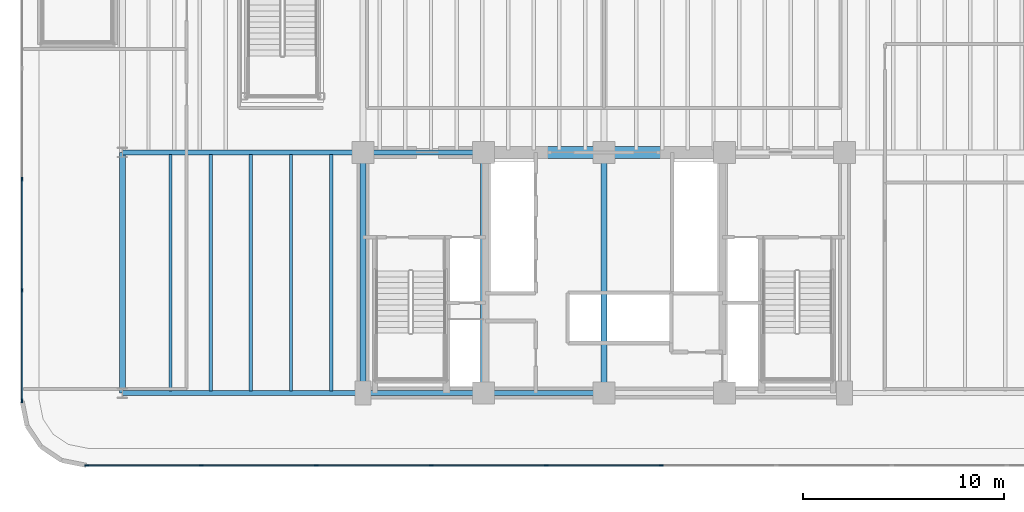
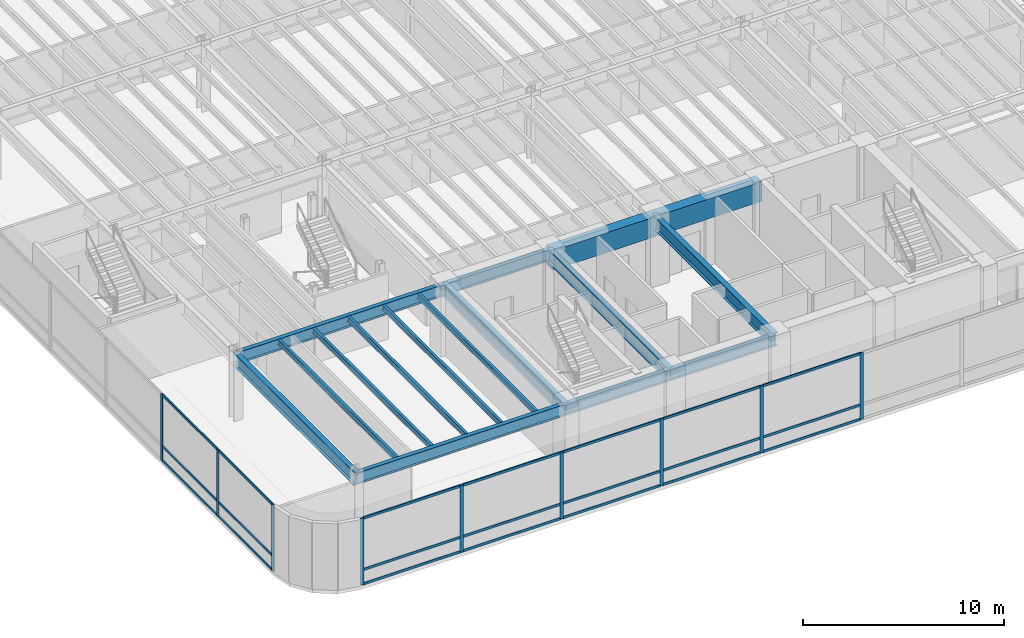
# One storey, part 3 of 18: 30 members, 15 beams, 2 elements without a shape of their own.
"""IFC4 building model written with IfcOpenShell, lengths in metres."""

from ifc_helpers import new_model, si_unit, direction, frame, origin, origin_2d, place, context, subcontext, project, spatial, rectangle, i_section, extrude, source, transform, mapped, material, layer, layer_set, material_profile, profile_set, type_object, element, aggregate, save


model = new_model("IFC4")

# Units and contexts
model_context = context("Model", 3, precision=1e-05, world=origin(), true_north=direction((0.0, 1.0)))
body_context = subcontext(model_context, "Body", "Model", "MODEL_VIEW")
ifc_project = project(units=[si_unit("LENGTHUNIT", "METRE"), si_unit("AREAUNIT", "SQUARE_METRE"), si_unit("VOLUMEUNIT", "CUBIC_METRE"), si_unit("PLANEANGLEUNIT", "RADIAN"), si_unit("MASSUNIT", "GRAM", prefix="KILO")], contexts=[model_context])

# Site, building, storey
site_placement = place(None, origin())
site = spatial("IfcSite", under=ifc_project, at=site_placement, CompositionType="ELEMENT")
building_placement = place(site_placement, origin())
building = spatial("IfcBuilding", under=site, at=building_placement, Name="Brelvock Crest Care Tower", CompositionType="ELEMENT")
storey_placement = place(building_placement, frame((0.0, 0.0, 9.719970703125)))
storey = spatial("IfcBuildingStorey", under=building, at=storey_placement, Name="L02", CompositionType="ELEMENT", Elevation=9.719970703125)

# Beams
ifc_material_1 = material(Name="Concrete S80 (80 MPa)", Category="concrete")
ifc_material_profile_1 = material_profile(ifc_material_1, rectangle(XDim=0.60009765625, YDim=1.199951171875, at=origin_2d()), Name="RC600x1200")
ifc_profile_set_1 = profile_set([ifc_material_profile_1], Name="Concrete S80 (80 MPa)")
beam_type_1 = type_object("IfcBeamType", Name="BM-LN1", PredefinedType="LINTEL", material=ifc_profile_set_1)
shared_shape_1 = source(origin(), body_context, "Body", "SweptSolid", [
    extrude(rectangle(XDim=0.60009765625, YDim=1.199951171875, at=origin_2d()), origin(), (0.0, 0.0, 1.0), 12.0),
])
beam_placement = place(storey_placement, frame((30.0, 18.0, 3.43994140625), z_axis=(1.0, 0.0, 0.0), x_axis=(0.0, 1.0, 0.0)))
element("IfcBeam", 1, at=beam_placement, inside=storey, type_object=beam_type_1, Name="L02 Core Coupling Lintel Beam", PredefinedType="LINTEL", context=body_context, shape_type="MappedRepresentation", body=[
    mapped(shared_shape_1, transform((0.0, 0.0, 0.0), x_axis=(1.0, 0.0, 0.0), y_axis=(0.0, 1.0, 0.0), z_axis=(0.0, 0.0, 1.0), scale=1.0)),
])
ifc_material_2 = material(Name="Steel Grade 350", Category="steel")
ifc_material_profile_2 = material_profile(ifc_material_2, i_section(OverallWidth=0.25, OverallDepth=0.699951171875, WebThickness=0.011962890625, FlangeThickness=0.02001953125, at=origin_2d()), Name="700WB150")
ifc_profile_set_2 = profile_set([ifc_material_profile_2], Name="Steel Grade 350")
beam_type_2 = type_object("IfcBeamType", Name="BM-G4", PredefinedType="BEAM", material=ifc_profile_set_2)
shared_shape_2 = source(origin(), body_context, "Body", "SweptSolid", [
    extrude(i_section(OverallWidth=0.25, OverallDepth=0.699951171875, WebThickness=0.011962890625, FlangeThickness=0.02001953125, at=origin_2d()), origin(), (0.0, 0.0, 1.0), 6.0),
])
for number, where, z_axis, x_axis, name in (
    (2, (24.0, 6.0, 3.68994140625), (1.0, 0.0, 0.0), (0.0, 1.0, 0.0), "BM-CORES-L02-1"),
    (3, (24.0, 18.0, 3.68994140625), (1.0, 0.0, 0.0), (0.0, 1.0, 0.0), "BM-COREN-L02-1"),
    (4, (30.0, 6.0, 3.68994140625), (1.0, 0.0, 0.0), (0.0, 1.0, 0.0), "BM-CORES-L02-2"),
):
    element("IfcBeam", number, at=place(storey_placement, frame(where, z_axis=z_axis, x_axis=x_axis)), inside=storey, type_object=beam_type_2, Name=name, PredefinedType="BEAM", context=body_context, shape_type="MappedRepresentation", body=[
        mapped(shared_shape_2, transform((0.0, 0.0, 0.0), x_axis=(1.0, 0.0, 0.0), y_axis=(0.0, 1.0, 0.0), z_axis=(0.0, 0.0, 1.0), scale=1.0)),
    ])
ifc_material_profile_3 = material_profile(ifc_material_2, i_section(OverallWidth=0.300048828125, OverallDepth=0.800048828125, WebThickness=0.013916015625, FlangeThickness=0.02197265625, at=origin_2d()), Name="800WB192")
ifc_profile_set_3 = profile_set([ifc_material_profile_3], Name="Steel Grade 350")
beam_type_3 = type_object("IfcBeamType", Name="BM-G5", PredefinedType="BEAM", material=ifc_profile_set_3)
shared_shape_3 = source(origin(), body_context, "Body", "SweptSolid", [
    extrude(i_section(OverallWidth=0.300048828125, OverallDepth=0.800048828125, WebThickness=0.013916015625, FlangeThickness=0.02197265625, at=origin_2d()), origin(), (0.0, 0.0, 1.0), 12.0),
])
for number, where, z_axis, x_axis, name in (
    (5, (24.0, 6.0, 3.64013671875), (0.0, 1.0, 0.0), (-1.0, 0.0, 0.0), "BM-COREX-L02-1"),
    (6, (30.0, 6.0, 3.64013671875), (0.0, 1.0, 0.0), (-1.0, 0.0, 0.0), "BM-COREX-L02-2"),
    (7, (36.0, 6.0, 3.64013671875), (0.0, 1.0, 0.0), (-1.0, 0.0, 0.0), "BM-COREX-L02-3"),
    (8, (12.0, 6.0, 3.64013671875), (0.0, 1.0, 0.0), (-1.0, 0.0, 0.0), "BM-PODY-L02-12-6"),
):
    element("IfcBeam", number, at=place(storey_placement, frame(where, z_axis=z_axis, x_axis=x_axis)), inside=storey, type_object=beam_type_3, Name=name, PredefinedType="BEAM", context=body_context, shape_type="MappedRepresentation", body=[
        mapped(shared_shape_3, transform((0.0, 0.0, 0.0), x_axis=(1.0, 0.0, 0.0), y_axis=(0.0, 1.0, 0.0), z_axis=(0.0, 0.0, 1.0), scale=1.0)),
    ])
ifc_material_profile_4 = material_profile(ifc_material_2, i_section(OverallWidth=0.166015625, OverallDepth=0.306884765625, WebThickness=0.006591796875, FlangeThickness=0.01171875, FilletRadius=0.011474609375, at=origin_2d()), Name="310UB46.2")
ifc_profile_set_4 = profile_set([ifc_material_profile_4], Name="Steel Grade 350")
beam_type_4 = type_object("IfcBeamType", Name="BM-J2", PredefinedType="JOIST", material=ifc_profile_set_4)
shared_shape_4 = source(origin(), body_context, "Body", "SweptSolid", [
    extrude(i_section(OverallWidth=0.166015625, OverallDepth=0.306884765625, WebThickness=0.006591796875, FlangeThickness=0.01171875, FilletRadius=0.011474609375, at=origin_2d()), origin(), (0.0, 0.0, 1.0), 11.77001953125),
])
for number, where, z_axis, x_axis, name in (
    (9, (14.39990234375, 6.114990234375, 3.886474609375), (0.0, 1.0, 0.0), (-1.0, 0.0, 0.0), "BM-PODSJ-L02-144"),
    (10, (16.39990234375, 6.114990234375, 3.886474609375), (0.0, 1.0, 0.0), (-1.0, 0.0, 0.0), "BM-PODSJ-L02-164"),
    (11, (18.39990234375, 6.114990234375, 3.886474609375), (0.0, 1.0, 0.0), (-1.0, 0.0, 0.0), "BM-PODSJ-L02-184"),
    (12, (20.39990234375, 6.114990234375, 3.886474609375), (0.0, 1.0, 0.0), (-1.0, 0.0, 0.0), "BM-PODSJ-L02-204"),
    (13, (22.39990234375, 6.114990234375, 3.886474609375), (0.0, 1.0, 0.0), (-1.0, 0.0, 0.0), "BM-PODSJ-L02-224"),
):
    element("IfcBeam", number, at=place(storey_placement, frame(where, z_axis=z_axis, x_axis=x_axis)), inside=storey, type_object=beam_type_4, Name=name, PredefinedType="JOIST", context=body_context, shape_type="MappedRepresentation", body=[
        mapped(shared_shape_4, transform((0.0, 0.0, 0.0), x_axis=(1.0, 0.0, 0.0), y_axis=(0.0, 1.0, 0.0), z_axis=(0.0, 0.0, 1.0), scale=1.0)),
    ])
shared_shape_5 = source(origin(), body_context, "Body", "SweptSolid", [
    extrude(i_section(OverallWidth=0.25, OverallDepth=0.699951171875, WebThickness=0.011962890625, FlangeThickness=0.02001953125, at=origin_2d()), origin(), (0.0, 0.0, 1.0), 12.0),
])
for number, where, z_axis, x_axis, name in (
    (14, (12.0, 6.0, 3.68994140625), (1.0, 0.0, 0.0), (0.0, 1.0, 0.0), "BM-PODX-L02-6-12"),
    (15, (12.0, 18.0, 3.68994140625), (1.0, 0.0, 0.0), (0.0, 1.0, 0.0), "BM-PODX-L02-18-12"),
):
    element("IfcBeam", number, at=place(storey_placement, frame(where, z_axis=z_axis, x_axis=x_axis)), inside=storey, type_object=beam_type_2, Name=name, PredefinedType="BEAM", context=body_context, shape_type="MappedRepresentation", body=[
        mapped(shared_shape_5, transform((0.0, 0.0, 0.0), x_axis=(1.0, 0.0, 0.0), y_axis=(0.0, 1.0, 0.0), z_axis=(0.0, 0.0, 1.0), scale=1.0)),
    ])

# Curtain wall, members
ifc_material_3 = material(Name="Dark Glass Double Glazed Low-E", Category="glass")
ifc_layer = layer(ifc_material_3, 0.179931640625, Name="CWS-1")
ifc_layer_set = layer_set([ifc_layer], Name="Dark Glass Double Glazed Low-E")
curtain_wall_type = type_object("IfcCurtainWallType", Name="CWS-1", PredefinedType="NOTDEFINED", material=ifc_layer_set)
curtain_wall_1_placement = place(storey_placement, origin())
curtain_wall_1 = element("IfcCurtainWall", 16, at=curtain_wall_1_placement, inside=storey, type_object=curtain_wall_type, Name="L02 Curtain Wall E04", PredefinedType="NOTDEFINED")
ifc_material_4 = material(Name="Aluminium 6063-T6", Category="aluminium")
ifc_material_profile_5 = material_profile(ifc_material_4, rectangle(XDim=0.06494140625, YDim=0.199951171875, at=origin_2d()), Name="ALU65x200")
ifc_profile_set_5 = profile_set([ifc_material_profile_5], Name="Aluminium 6063-T6")
member_type_1 = type_object("IfcMemberType", Name="CWM-1", PredefinedType="MULLION", material=ifc_profile_set_5)
shared_shape_6 = source(origin(), body_context, "Body", "SweptSolid", [
    extrude(rectangle(XDim=0.06494140625, YDim=0.199951171875, at=origin_2d()), origin(), (0.0, 0.0, 1.0), 4.0400390625),
])
member_1_placement = place(storey_placement, frame((7.0, 5.632568359375, 0.0), z_axis=(0.0, 0.0, 1.0), x_axis=(-1.0, 0.0, 0.0)))
member_1 = element("IfcMember", 17, at=member_1_placement, type_object=member_type_1, Name="CW-1 mullion 1", PredefinedType="MULLION", context=body_context, shape_type="MappedRepresentation", body=[
    mapped(shared_shape_6, transform((0.0, 0.0, 0.0), x_axis=(1.0, 0.0, 0.0), y_axis=(0.0, 1.0, 0.0), z_axis=(0.0, 0.0, 1.0), scale=1.0)),
])
member_2_placement = place(storey_placement, frame((7.0, 11.13330078125, 0.0), z_axis=(0.0, 0.0, 1.0), x_axis=(-1.0, 0.0, 0.0)))
member_2 = element("IfcMember", 18, at=member_2_placement, type_object=member_type_1, Name="CW-1 mullion 2", PredefinedType="MULLION", context=body_context, shape_type="MappedRepresentation", body=[
    mapped(shared_shape_6, transform((0.0, 0.0, 0.0), x_axis=(1.0, 0.0, 0.0), y_axis=(0.0, 1.0, 0.0), z_axis=(0.0, 0.0, 1.0), scale=1.0)),
])
member_3_placement = place(storey_placement, frame((7.0, 16.666748046875, 0.0), z_axis=(0.0, 0.0, 1.0), x_axis=(-1.0, 0.0, 0.0)))
member_3 = element("IfcMember", 19, at=member_3_placement, type_object=member_type_1, Name="CW-1 mullion 3", PredefinedType="MULLION", context=body_context, shape_type="MappedRepresentation", body=[
    mapped(shared_shape_6, transform((0.0, 0.0, 0.0), x_axis=(1.0, 0.0, 0.0), y_axis=(0.0, 1.0, 0.0), z_axis=(0.0, 0.0, 1.0), scale=1.0)),
])

curtain_wall_2_placement = place(storey_placement, origin())
curtain_wall_2 = element("IfcCurtainWall", 20, at=curtain_wall_2_placement, inside=storey, type_object=curtain_wall_type, Name="L02 Curtain Wall E19", PredefinedType="NOTDEFINED")
member_4_placement = place(storey_placement, frame((38.86669921875, 2.39990234375, 0.0), z_axis=(0.0, 0.0, 1.0), x_axis=(0.0, -1.0, 0.0)))
member_4 = element("IfcMember", 21, at=member_4_placement, type_object=member_type_1, Name="CW-1 mullion 5", PredefinedType="MULLION", context=body_context, shape_type="MappedRepresentation", body=[
    mapped(shared_shape_6, transform((0.0, 0.0, 0.0), x_axis=(1.0, 0.0, 0.0), y_axis=(0.0, 1.0, 0.0), z_axis=(0.0, 0.0, 1.0), scale=1.0)),
])
member_5_placement = place(storey_placement, frame((33.13330078125, 2.39990234375, 0.0), z_axis=(0.0, 0.0, 1.0), x_axis=(0.0, -1.0, 0.0)))
member_5 = element("IfcMember", 22, at=member_5_placement, type_object=member_type_1, Name="CW-1 mullion 6", PredefinedType="MULLION", context=body_context, shape_type="MappedRepresentation", body=[
    mapped(shared_shape_6, transform((0.0, 0.0, 0.0), x_axis=(1.0, 0.0, 0.0), y_axis=(0.0, 1.0, 0.0), z_axis=(0.0, 0.0, 1.0), scale=1.0)),
])
member_6_placement = place(storey_placement, frame((27.39990234375, 2.39990234375, 0.0), z_axis=(0.0, 0.0, 1.0), x_axis=(0.0, -1.0, 0.0)))
member_6 = element("IfcMember", 23, at=member_6_placement, type_object=member_type_1, Name="CW-1 mullion 7", PredefinedType="MULLION", context=body_context, shape_type="MappedRepresentation", body=[
    mapped(shared_shape_6, transform((0.0, 0.0, 0.0), x_axis=(1.0, 0.0, 0.0), y_axis=(0.0, 1.0, 0.0), z_axis=(0.0, 0.0, 1.0), scale=1.0)),
])
member_7_placement = place(storey_placement, frame((21.666748046875, 2.39990234375, 0.0), z_axis=(0.0, 0.0, 1.0), x_axis=(0.0, -1.0, 0.0)))
member_7 = element("IfcMember", 24, at=member_7_placement, type_object=member_type_1, Name="CW-1 mullion 8", PredefinedType="MULLION", context=body_context, shape_type="MappedRepresentation", body=[
    mapped(shared_shape_6, transform((0.0, 0.0, 0.0), x_axis=(1.0, 0.0, 0.0), y_axis=(0.0, 1.0, 0.0), z_axis=(0.0, 0.0, 1.0), scale=1.0)),
])
member_8_placement = place(storey_placement, frame((15.933349609375, 2.39990234375, 0.0), z_axis=(0.0, 0.0, 1.0), x_axis=(0.0, -1.0, 0.0)))
member_8 = element("IfcMember", 25, at=member_8_placement, type_object=member_type_1, Name="CW-1 mullion 9", PredefinedType="MULLION", context=body_context, shape_type="MappedRepresentation", body=[
    mapped(shared_shape_6, transform((0.0, 0.0, 0.0), x_axis=(1.0, 0.0, 0.0), y_axis=(0.0, 1.0, 0.0), z_axis=(0.0, 0.0, 1.0), scale=1.0)),
])
member_9_placement = place(storey_placement, frame((10.232421875, 2.39990234375, 0.0), z_axis=(0.0, 0.0, 1.0), x_axis=(0.0, -1.0, 0.0)))
member_9 = element("IfcMember", 26, at=member_9_placement, type_object=member_type_1, Name="CW-1 mullion 10", PredefinedType="MULLION", context=body_context, shape_type="MappedRepresentation", body=[
    mapped(shared_shape_6, transform((0.0, 0.0, 0.0), x_axis=(1.0, 0.0, 0.0), y_axis=(0.0, 1.0, 0.0), z_axis=(0.0, 0.0, 1.0), scale=1.0)),
])

# Member
ifc_material_profile_6 = material_profile(ifc_material_4, rectangle(XDim=0.06494140625, YDim=0.14990234375, at=origin_2d()), Name="ALU65x150")
ifc_profile_set_6 = profile_set([ifc_material_profile_6], Name="Aluminium 6063-T6")
member_type_2 = type_object("IfcMemberType", Name="CWT-1", PredefinedType="USERDEFINED", material=ifc_profile_set_6)
shared_shape_7 = source(origin(), body_context, "Body", "SweptSolid", [
    extrude(rectangle(XDim=0.06494140625, YDim=0.14990234375, at=origin_2d()), origin(), (0.0, 0.0, 1.0), 5.435791015625),
])
member_10_placement = place(storey_placement, frame((7.0, 5.6650390625, 0.032470703125), z_axis=(0.0, 1.0, 0.0), x_axis=(-1.0, 0.0, 0.0)))
member_10 = element("IfcMember", 27, at=member_10_placement, type_object=member_type_2, Name="CW-1 transom 1.1", ObjectType="TRANSOM", PredefinedType="USERDEFINED", context=body_context, shape_type="MappedRepresentation", body=[
    mapped(shared_shape_7, transform((0.0, 0.0, 0.0), x_axis=(1.0, 0.0, 0.0), y_axis=(0.0, 1.0, 0.0), z_axis=(0.0, 0.0, 1.0), scale=1.0)),
])

member_11_placement = place(storey_placement, frame((7.0, 5.6650390625, 0.900146484375), z_axis=(0.0, 1.0, 0.0), x_axis=(-1.0, 0.0, 0.0)))
member_11 = element("IfcMember", 28, at=member_11_placement, type_object=member_type_2, Name="CW-1 transom 1.2", ObjectType="TRANSOM", PredefinedType="USERDEFINED", context=body_context, shape_type="MappedRepresentation", body=[
    mapped(shared_shape_7, transform((0.0, 0.0, 0.0), x_axis=(1.0, 0.0, 0.0), y_axis=(0.0, 1.0, 0.0), z_axis=(0.0, 0.0, 1.0), scale=1.0)),
])

member_12_placement = place(storey_placement, frame((7.0, 5.6650390625, 4.007568359375), z_axis=(0.0, 1.0, 0.0), x_axis=(-1.0, 0.0, 0.0)))
member_12 = element("IfcMember", 29, at=member_12_placement, type_object=member_type_2, Name="CW-1 transom 1.3", ObjectType="TRANSOM", PredefinedType="USERDEFINED", context=body_context, shape_type="MappedRepresentation", body=[
    mapped(shared_shape_7, transform((0.0, 0.0, 0.0), x_axis=(1.0, 0.0, 0.0), y_axis=(0.0, 1.0, 0.0), z_axis=(0.0, 0.0, 1.0), scale=1.0)),
])

shared_shape_8 = source(origin(), body_context, "Body", "SweptSolid", [
    extrude(rectangle(XDim=0.06494140625, YDim=0.14990234375, at=origin_2d()), origin(), (0.0, 0.0, 1.0), 5.468505859375),
])
member_13_placement = place(storey_placement, frame((7.0, 11.165771484375, 0.032470703125), z_axis=(0.0, 1.0, 0.0), x_axis=(-1.0, 0.0, 0.0)))
member_13 = element("IfcMember", 30, at=member_13_placement, type_object=member_type_2, Name="CW-1 transom 2.1", ObjectType="TRANSOM", PredefinedType="USERDEFINED", context=body_context, shape_type="MappedRepresentation", body=[
    mapped(shared_shape_8, transform((0.0, 0.0, 0.0), x_axis=(1.0, 0.0, 0.0), y_axis=(0.0, 1.0, 0.0), z_axis=(0.0, 0.0, 1.0), scale=1.0)),
])

member_14_placement = place(storey_placement, frame((7.0, 11.165771484375, 0.900146484375), z_axis=(0.0, 1.0, 0.0), x_axis=(-1.0, 0.0, 0.0)))
member_14 = element("IfcMember", 31, at=member_14_placement, type_object=member_type_2, Name="CW-1 transom 2.2", ObjectType="TRANSOM", PredefinedType="USERDEFINED", context=body_context, shape_type="MappedRepresentation", body=[
    mapped(shared_shape_8, transform((0.0, 0.0, 0.0), x_axis=(1.0, 0.0, 0.0), y_axis=(0.0, 1.0, 0.0), z_axis=(0.0, 0.0, 1.0), scale=1.0)),
])

member_15_placement = place(storey_placement, frame((7.0, 11.165771484375, 4.007568359375), z_axis=(0.0, 1.0, 0.0), x_axis=(-1.0, 0.0, 0.0)))
member_15 = element("IfcMember", 32, at=member_15_placement, type_object=member_type_2, Name="CW-1 transom 2.3", ObjectType="TRANSOM", PredefinedType="USERDEFINED", context=body_context, shape_type="MappedRepresentation", body=[
    mapped(shared_shape_8, transform((0.0, 0.0, 0.0), x_axis=(1.0, 0.0, 0.0), y_axis=(0.0, 1.0, 0.0), z_axis=(0.0, 0.0, 1.0), scale=1.0)),
])

aggregate(curtain_wall_1, [member_1, member_2, member_3, member_10, member_11, member_12, member_13, member_14, member_15])

shared_shape_9 = source(origin(), body_context, "Body", "SweptSolid", [
    extrude(rectangle(XDim=0.06494140625, YDim=0.14990234375, at=origin_2d()), origin(), (0.0, 0.0, 1.0), 5.635986328125),
])
member_16_placement = place(storey_placement, frame((15.90087890625, 2.39990234375, 0.032470703125), z_axis=(-1.0, 0.0, 0.0), x_axis=(0.0, -1.0, 0.0)))
member_16 = element("IfcMember", 33, at=member_16_placement, type_object=member_type_2, Name="CW-1 transom 9.1", ObjectType="TRANSOM", PredefinedType="USERDEFINED", context=body_context, shape_type="MappedRepresentation", body=[
    mapped(shared_shape_9, transform((0.0, 0.0, 0.0), x_axis=(1.0, 0.0, 0.0), y_axis=(0.0, 1.0, 0.0), z_axis=(0.0, 0.0, 1.0), scale=1.0)),
])

member_17_placement = place(storey_placement, frame((15.90087890625, 2.39990234375, 0.900146484375), z_axis=(-1.0, 0.0, 0.0), x_axis=(0.0, -1.0, 0.0)))
member_17 = element("IfcMember", 34, at=member_17_placement, type_object=member_type_2, Name="CW-1 transom 9.2", ObjectType="TRANSOM", PredefinedType="USERDEFINED", context=body_context, shape_type="MappedRepresentation", body=[
    mapped(shared_shape_9, transform((0.0, 0.0, 0.0), x_axis=(1.0, 0.0, 0.0), y_axis=(0.0, 1.0, 0.0), z_axis=(0.0, 0.0, 1.0), scale=1.0)),
])

member_18_placement = place(storey_placement, frame((15.90087890625, 2.39990234375, 4.007568359375), z_axis=(-1.0, 0.0, 0.0), x_axis=(0.0, -1.0, 0.0)))
member_18 = element("IfcMember", 35, at=member_18_placement, type_object=member_type_2, Name="CW-1 transom 9.3", ObjectType="TRANSOM", PredefinedType="USERDEFINED", context=body_context, shape_type="MappedRepresentation", body=[
    mapped(shared_shape_9, transform((0.0, 0.0, 0.0), x_axis=(1.0, 0.0, 0.0), y_axis=(0.0, 1.0, 0.0), z_axis=(0.0, 0.0, 1.0), scale=1.0)),
])

shared_shape_10 = source(origin(), body_context, "Body", "SweptSolid", [
    extrude(rectangle(XDim=0.06494140625, YDim=0.14990234375, at=origin_2d()), origin(), (0.0, 0.0, 1.0), 5.66845703125),
])
member_19_placement = place(storey_placement, frame((38.834228515625, 2.39990234375, 0.032470703125), z_axis=(-1.0, 0.0, 0.0), x_axis=(0.0, -1.0, 0.0)))
member_19 = element("IfcMember", 36, at=member_19_placement, type_object=member_type_2, Name="CW-1 transom 5.1", ObjectType="TRANSOM", PredefinedType="USERDEFINED", context=body_context, shape_type="MappedRepresentation", body=[
    mapped(shared_shape_10, transform((0.0, 0.0, 0.0), x_axis=(1.0, 0.0, 0.0), y_axis=(0.0, 1.0, 0.0), z_axis=(0.0, 0.0, 1.0), scale=1.0)),
])

member_20_placement = place(storey_placement, frame((38.834228515625, 2.39990234375, 0.900146484375), z_axis=(-1.0, 0.0, 0.0), x_axis=(0.0, -1.0, 0.0)))
member_20 = element("IfcMember", 37, at=member_20_placement, type_object=member_type_2, Name="CW-1 transom 5.2", ObjectType="TRANSOM", PredefinedType="USERDEFINED", context=body_context, shape_type="MappedRepresentation", body=[
    mapped(shared_shape_10, transform((0.0, 0.0, 0.0), x_axis=(1.0, 0.0, 0.0), y_axis=(0.0, 1.0, 0.0), z_axis=(0.0, 0.0, 1.0), scale=1.0)),
])

member_21_placement = place(storey_placement, frame((38.834228515625, 2.39990234375, 4.007568359375), z_axis=(-1.0, 0.0, 0.0), x_axis=(0.0, -1.0, 0.0)))
member_21 = element("IfcMember", 38, at=member_21_placement, type_object=member_type_2, Name="CW-1 transom 5.3", ObjectType="TRANSOM", PredefinedType="USERDEFINED", context=body_context, shape_type="MappedRepresentation", body=[
    mapped(shared_shape_10, transform((0.0, 0.0, 0.0), x_axis=(1.0, 0.0, 0.0), y_axis=(0.0, 1.0, 0.0), z_axis=(0.0, 0.0, 1.0), scale=1.0)),
])

member_22_placement = place(storey_placement, frame((21.63427734375, 2.39990234375, 0.032470703125), z_axis=(-1.0, 0.0, 0.0), x_axis=(0.0, -1.0, 0.0)))
member_22 = element("IfcMember", 39, at=member_22_placement, type_object=member_type_2, Name="CW-1 transom 8.1", ObjectType="TRANSOM", PredefinedType="USERDEFINED", context=body_context, shape_type="MappedRepresentation", body=[
    mapped(shared_shape_10, transform((0.0, 0.0, 0.0), x_axis=(1.0, 0.0, 0.0), y_axis=(0.0, 1.0, 0.0), z_axis=(0.0, 0.0, 1.0), scale=1.0)),
])

member_23_placement = place(storey_placement, frame((21.63427734375, 2.39990234375, 0.900146484375), z_axis=(-1.0, 0.0, 0.0), x_axis=(0.0, -1.0, 0.0)))
member_23 = element("IfcMember", 40, at=member_23_placement, type_object=member_type_2, Name="CW-1 transom 8.2", ObjectType="TRANSOM", PredefinedType="USERDEFINED", context=body_context, shape_type="MappedRepresentation", body=[
    mapped(shared_shape_10, transform((0.0, 0.0, 0.0), x_axis=(1.0, 0.0, 0.0), y_axis=(0.0, 1.0, 0.0), z_axis=(0.0, 0.0, 1.0), scale=1.0)),
])

member_24_placement = place(storey_placement, frame((21.63427734375, 2.39990234375, 4.007568359375), z_axis=(-1.0, 0.0, 0.0), x_axis=(0.0, -1.0, 0.0)))
member_24 = element("IfcMember", 41, at=member_24_placement, type_object=member_type_2, Name="CW-1 transom 8.3", ObjectType="TRANSOM", PredefinedType="USERDEFINED", context=body_context, shape_type="MappedRepresentation", body=[
    mapped(shared_shape_10, transform((0.0, 0.0, 0.0), x_axis=(1.0, 0.0, 0.0), y_axis=(0.0, 1.0, 0.0), z_axis=(0.0, 0.0, 1.0), scale=1.0)),
])

shared_shape_11 = source(origin(), body_context, "Body", "SweptSolid", [
    extrude(rectangle(XDim=0.06494140625, YDim=0.14990234375, at=origin_2d()), origin(), (0.0, 0.0, 1.0), 5.668212890625),
])
member_25_placement = place(storey_placement, frame((33.100830078125, 2.39990234375, 0.032470703125), z_axis=(-1.0, 0.0, 0.0), x_axis=(0.0, -1.0, 0.0)))
member_25 = element("IfcMember", 42, at=member_25_placement, type_object=member_type_2, Name="CW-1 transom 6.1", ObjectType="TRANSOM", PredefinedType="USERDEFINED", context=body_context, shape_type="MappedRepresentation", body=[
    mapped(shared_shape_11, transform((0.0, 0.0, 0.0), x_axis=(1.0, 0.0, 0.0), y_axis=(0.0, 1.0, 0.0), z_axis=(0.0, 0.0, 1.0), scale=1.0)),
])

member_26_placement = place(storey_placement, frame((33.100830078125, 2.39990234375, 0.900146484375), z_axis=(-1.0, 0.0, 0.0), x_axis=(0.0, -1.0, 0.0)))
member_26 = element("IfcMember", 43, at=member_26_placement, type_object=member_type_2, Name="CW-1 transom 6.2", ObjectType="TRANSOM", PredefinedType="USERDEFINED", context=body_context, shape_type="MappedRepresentation", body=[
    mapped(shared_shape_11, transform((0.0, 0.0, 0.0), x_axis=(1.0, 0.0, 0.0), y_axis=(0.0, 1.0, 0.0), z_axis=(0.0, 0.0, 1.0), scale=1.0)),
])

member_27_placement = place(storey_placement, frame((33.100830078125, 2.39990234375, 4.007568359375), z_axis=(-1.0, 0.0, 0.0), x_axis=(0.0, -1.0, 0.0)))
member_27 = element("IfcMember", 44, at=member_27_placement, type_object=member_type_2, Name="CW-1 transom 6.3", ObjectType="TRANSOM", PredefinedType="USERDEFINED", context=body_context, shape_type="MappedRepresentation", body=[
    mapped(shared_shape_11, transform((0.0, 0.0, 0.0), x_axis=(1.0, 0.0, 0.0), y_axis=(0.0, 1.0, 0.0), z_axis=(0.0, 0.0, 1.0), scale=1.0)),
])

member_28_placement = place(storey_placement, frame((27.367431640625, 2.39990234375, 0.032470703125), z_axis=(-1.0, 0.0, 0.0), x_axis=(0.0, -1.0, 0.0)))
member_28 = element("IfcMember", 45, at=member_28_placement, type_object=member_type_2, Name="CW-1 transom 7.1", ObjectType="TRANSOM", PredefinedType="USERDEFINED", context=body_context, shape_type="MappedRepresentation", body=[
    mapped(shared_shape_11, transform((0.0, 0.0, 0.0), x_axis=(1.0, 0.0, 0.0), y_axis=(0.0, 1.0, 0.0), z_axis=(0.0, 0.0, 1.0), scale=1.0)),
])

member_29_placement = place(storey_placement, frame((27.367431640625, 2.39990234375, 0.900146484375), z_axis=(-1.0, 0.0, 0.0), x_axis=(0.0, -1.0, 0.0)))
member_29 = element("IfcMember", 46, at=member_29_placement, type_object=member_type_2, Name="CW-1 transom 7.2", ObjectType="TRANSOM", PredefinedType="USERDEFINED", context=body_context, shape_type="MappedRepresentation", body=[
    mapped(shared_shape_11, transform((0.0, 0.0, 0.0), x_axis=(1.0, 0.0, 0.0), y_axis=(0.0, 1.0, 0.0), z_axis=(0.0, 0.0, 1.0), scale=1.0)),
])

member_30_placement = place(storey_placement, frame((27.367431640625, 2.39990234375, 4.007568359375), z_axis=(-1.0, 0.0, 0.0), x_axis=(0.0, -1.0, 0.0)))
member_30 = element("IfcMember", 47, at=member_30_placement, type_object=member_type_2, Name="CW-1 transom 7.3", ObjectType="TRANSOM", PredefinedType="USERDEFINED", context=body_context, shape_type="MappedRepresentation", body=[
    mapped(shared_shape_11, transform((0.0, 0.0, 0.0), x_axis=(1.0, 0.0, 0.0), y_axis=(0.0, 1.0, 0.0), z_axis=(0.0, 0.0, 1.0), scale=1.0)),
])

aggregate(curtain_wall_2, [member_4, member_5, member_6, member_7, member_8, member_9, member_19, member_20, member_21, member_25, member_26, member_27, member_28, member_29, member_30, member_22, member_23, member_24, member_16, member_17, member_18])

save(model, "model.ifc")
